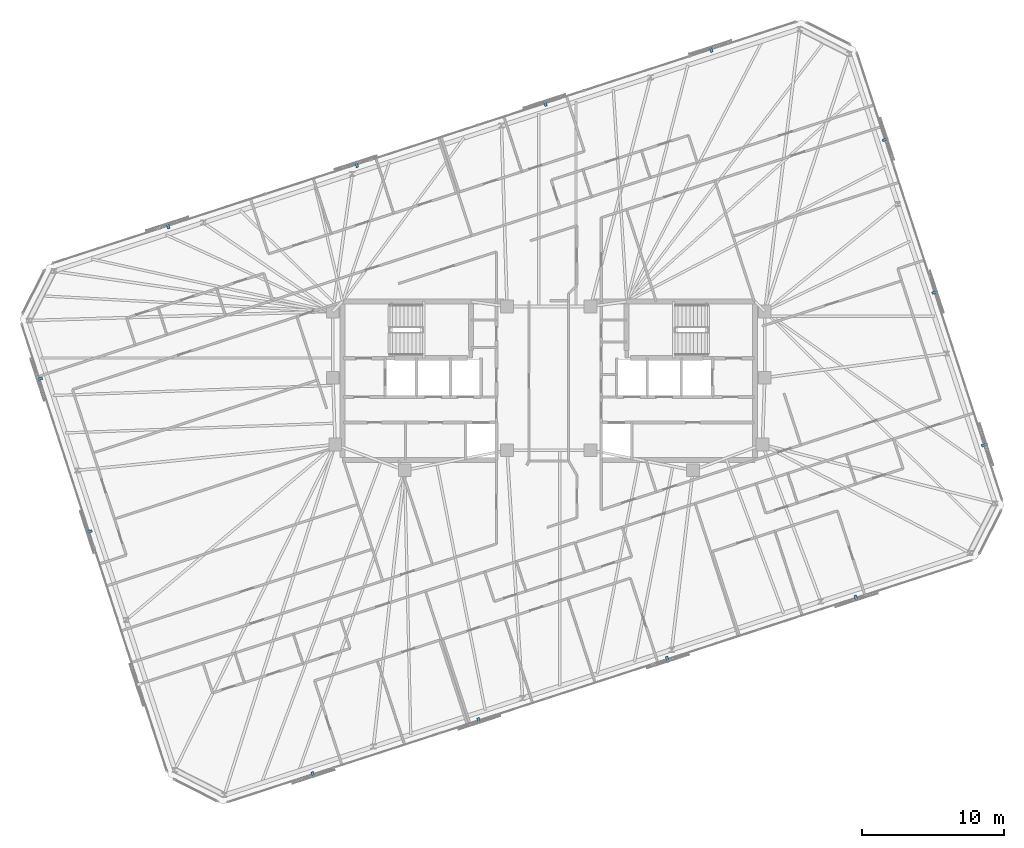
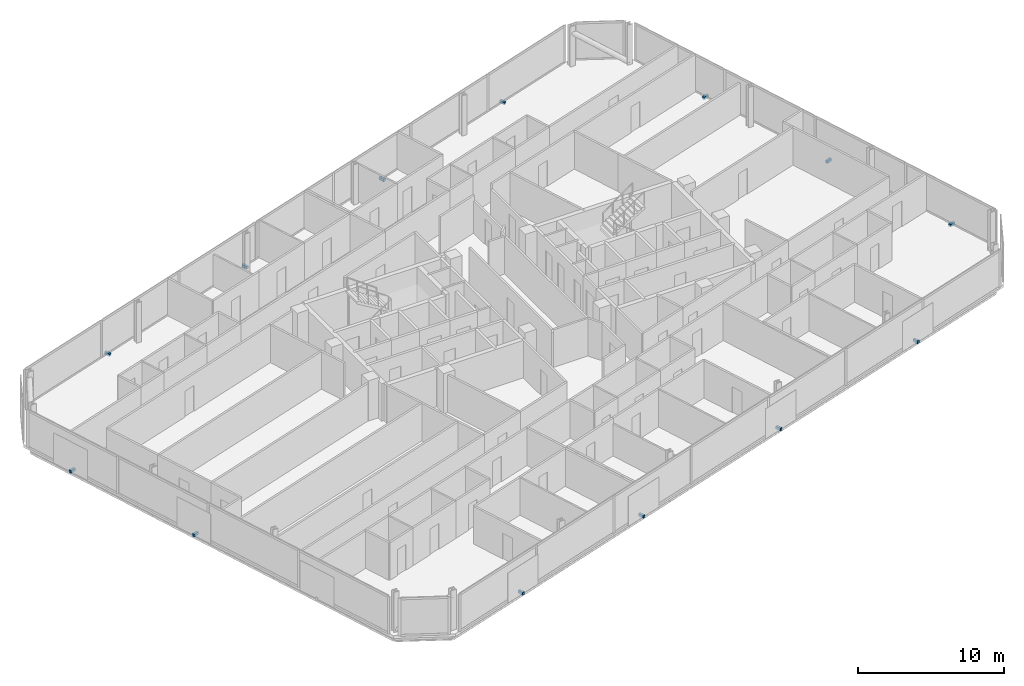
# One storey, part 19 of 20: 13 discrete accessories.
"""IFC4 building model written with IfcOpenShell, lengths in metres."""

from ifc_helpers import new_model, si_unit, direction, frame, origin, origin_2d, place, context, subcontext, project, spatial, rectangle, extrude, material, type_object, element, save


model = new_model("IFC4")

# Units and contexts
model_context = context("Model", 3, precision=1e-05, world=origin(), true_north=direction((0.0, 1.0)))
body_context = subcontext(model_context, "Body", "Model", "MODEL_VIEW")
ifc_project = project(units=[si_unit("LENGTHUNIT", "METRE"), si_unit("AREAUNIT", "SQUARE_METRE"), si_unit("VOLUMEUNIT", "CUBIC_METRE"), si_unit("PLANEANGLEUNIT", "RADIAN"), si_unit("MASSUNIT", "GRAM", prefix="KILO")], contexts=[model_context])

# Site, building, storey
site_placement = place(None, origin())
site = spatial("IfcSite", under=ifc_project, at=site_placement, CompositionType="ELEMENT")
building_placement = place(site_placement, origin())
building = spatial("IfcBuilding", under=site, at=building_placement, Name="Menara Jurai Vektor", CompositionType="ELEMENT")
storey_placement = place(building_placement, frame((0.0, 0.0, 247.75)))
storey = spatial("IfcBuildingStorey", under=building, at=storey_placement, Name="L66", CompositionType="ELEMENT", Elevation=247.75)

# Discrete accessories
ifc_material = material(Name="Steel S355", Category="steel")
discrete_accessory_type = type_object("IfcDiscreteAccessoryType", Name="ENV-ACC-BRACKET", PredefinedType="BRACKET", material=ifc_material)
for number, where, z_axis, x_axis, name in (
    (1, (-16.655029296875, -27.806396484375, -0.1298828125), (0.0, 0.0, 1.0), (0.951056516295, 0.309016994375, 0.0), "Solar Screen Stand-Off Bracket L66-S01"),
    (2, (-4.93798828125, -23.99951171875, -0.1298828125), (0.0, 0.0, 1.0), (0.951056516295, 0.309016994375, 0.0), "Solar Screen Stand-Off Bracket L66-S02"),
    (3, (8.376708984375, -19.673095703125, -0.1298828125), (0.0, 0.0, 1.0), (0.951056516295, 0.309016994375, 0.0), "Solar Screen Stand-Off Bracket L66-S03"),
    (4, (21.69140625, -15.346923828125, -0.1298828125), (0.0, 0.0, 1.0), (0.951056516295, 0.309016994375, 0.0), "Solar Screen Stand-Off Bracket L66-S04"),
    (5, (30.76220703125, -4.527587890625, -0.1298828125), (0.0, 0.0, 1.0), (-0.309016994375, 0.951056516295, 0.0), "Solar Screen Stand-Off Bracket L66-S05"),
    (6, (27.260009765625, 6.2509765625, -0.1298828125), (0.0, 0.0, 1.0), (-0.309016994375, 0.951056516295, 0.0), "Solar Screen Stand-Off Bracket L66-S06"),
    (7, (23.7578125, 17.029541015625, -0.1298828125), (0.0, 0.0, 1.0), (-0.309016994375, 0.951056516295, 0.0), "Solar Screen Stand-Off Bracket L66-S07"),
    (8, (11.455078125, 23.406494140625, -0.1298828125), (0.0, 0.0, 1.0), (-0.951056516295, -0.309016994375, 0.0), "Solar Screen Stand-Off Bracket L66-S08"),
    (9, (-0.261962890625, 19.599365234375, -0.1298828125), (0.0, 0.0, 1.0), (-0.951056516295, -0.309016994375, 0.0), "Solar Screen Stand-Off Bracket L66-S09"),
    (10, (-13.576904296875, 15.273193359375, -0.1298828125), (0.0, 0.0, 1.0), (-0.951056516295, -0.309016994375, 0.0), "Solar Screen Stand-Off Bracket L66-S10"),
    (11, (-26.8916015625, 10.947021484375, -0.1298828125), (0.0, 0.0, 1.0), (-0.951056516295, -0.309016994375, 0.0), "Solar Screen Stand-Off Bracket L66-S11"),
    (12, (-35.962158203125, 0.127685546875, -0.1298828125), (0.0, 0.0, 1.0), (0.309016994375, -0.951056516295, 0.0), "Solar Screen Stand-Off Bracket L66-S12"),
    (13, (-32.4599609375, -10.65087890625, -0.1298828125), (0.0, 0.0, 1.0), (0.309016994375, -0.951056516295, 0.0), "Solar Screen Stand-Off Bracket L66-S13"),
):
    element("IfcDiscreteAccessory", number, at=place(storey_placement, frame(where, z_axis=z_axis, x_axis=x_axis)), inside=storey, type_object=discrete_accessory_type, Name=name, PredefinedType="BRACKET", context=body_context, shape_type="SweptSolid", body=[
        extrude(rectangle(XDim=0.179931640625, YDim=0.43994140625, at=origin_2d()), origin(), (0.0, 0.0, 1.0), 0.219970703125),
    ])

save(model, "model.ifc")
